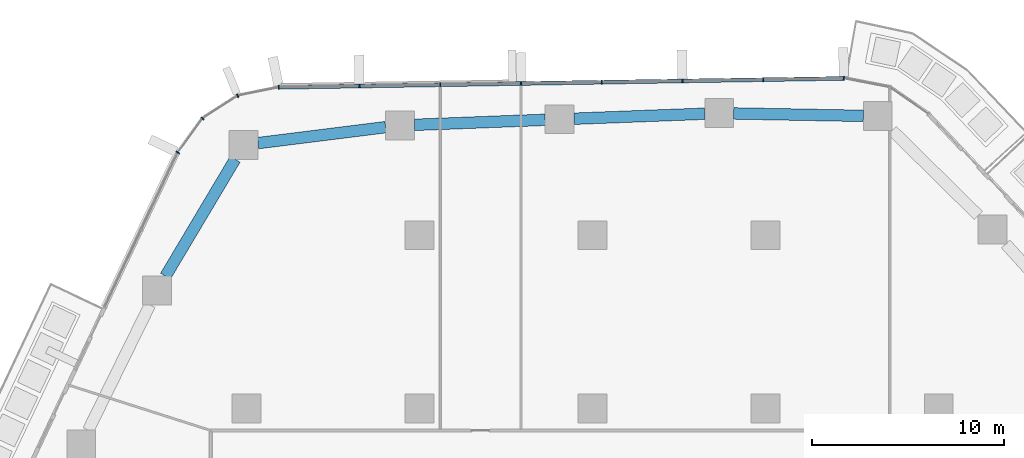
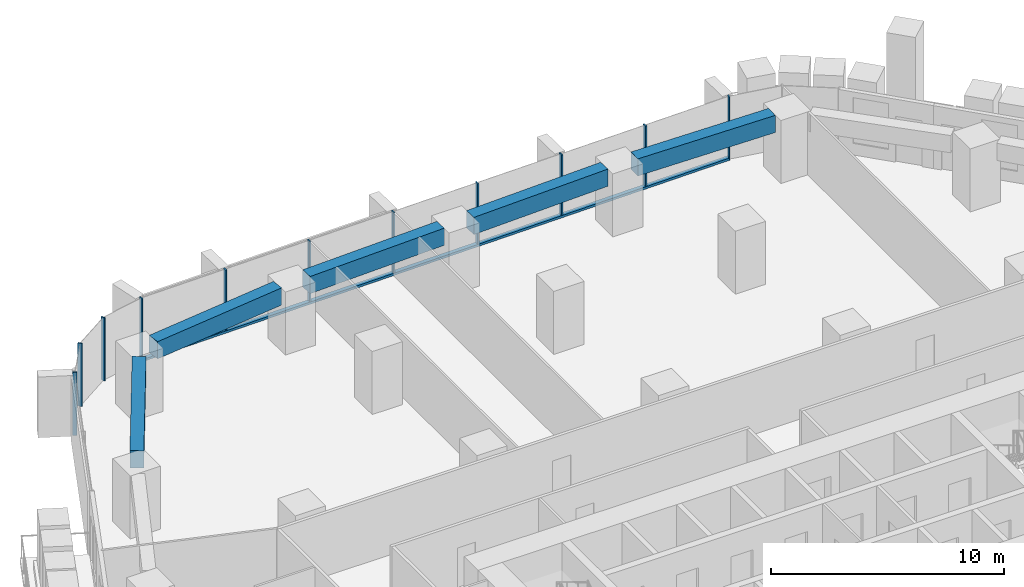
# One storey, part 9 of 25: 12 members, 5 beams, 3 elements without a shape of their own.
"""IFC4 building model written with IfcOpenShell, lengths in metres."""

from ifc_helpers import new_model, si_unit, direction, frame, origin, origin_2d, place, context, subcontext, project, spatial, rectangle, extrude, material, layer, layer_set, material_profile, profile_set, type_object, element, aggregate, save


model = new_model("IFC4")

# Units and contexts
model_context = context("Model", 3, precision=1e-05, world=origin(), true_north=direction((0.0, 1.0)))
body_context = subcontext(model_context, "Body", "Model", "MODEL_VIEW")
ifc_project = project(units=[si_unit("LENGTHUNIT", "METRE"), si_unit("AREAUNIT", "SQUARE_METRE"), si_unit("VOLUMEUNIT", "CUBIC_METRE"), si_unit("PLANEANGLEUNIT", "RADIAN"), si_unit("MASSUNIT", "GRAM", prefix="KILO")], contexts=[model_context])

# Site, building, storey
site_placement = place(None, origin())
site = spatial("IfcSite", under=ifc_project, at=site_placement, CompositionType="ELEMENT")
building_placement = place(site_placement, origin())
building = spatial("IfcBuilding", under=site, at=building_placement, Name="Dongbaek Canopy Tower", CompositionType="ELEMENT")
storey_placement = place(building_placement, frame((0.0, 0.0, 81.0)))
storey = spatial("IfcBuildingStorey", under=building, at=storey_placement, Name="L16", CompositionType="ELEMENT", Elevation=81.0)

# Curtain wall, member
ifc_material_1 = material(Name="Aluminium 6063-T6 pale anodised", Category="aluminium")
ifc_layer = layer(ifc_material_1, 0.199951171875)
ifc_layer_set = layer_set([ifc_layer], Name="CW-1 unitised tower curtain wall")
curtain_wall_type = type_object("IfcCurtainWallType", Name="CW-1 unitised tower curtain wall", PredefinedType="NOTDEFINED", material=ifc_layer_set)
curtain_wall_1_placement = place(storey_placement, origin())
curtain_wall_1 = element("IfcCurtainWall", 1, at=curtain_wall_1_placement, inside=storey, type_object=curtain_wall_type, Name="CW-1 curtain wall K1.1", PredefinedType="NOTDEFINED")
ifc_material_2 = material(Name="Aluminium 6063-T6 pale anodised", Category="aluminium")
ifc_material_profile_1 = material_profile(ifc_material_2, rectangle(XDim=0.199951171875, YDim=0.06005859375, at=origin_2d()), Name="CW-1 mullion 60 x 200")
ifc_profile_set_1 = profile_set([ifc_material_profile_1], Name="Aluminium 6063-T6 pale anodised")
member_type_1 = type_object("IfcMemberType", Name="CW-1 mullion 60 x 200", PredefinedType="MULLION", material=ifc_profile_set_1)
member_1_placement = place(storey_placement, frame((13.067138671875, 35.157470703125, 0.0), z_axis=(0.0, 0.0, 1.0), x_axis=(0.190359076609, 0.981714531803, 0.0)))
member_1 = element("IfcMember", 2, at=member_1_placement, type_object=member_type_1, Name="CW-1 mullion K1.1.3", PredefinedType="MULLION", context=body_context, shape_type="SweptSolid", body=[
    extrude(rectangle(XDim=0.199951171875, YDim=0.06005859375, at=origin_2d()), origin(), (0.0, 0.0, 1.0), 3.300048828125),
])
aggregate(curtain_wall_1, [member_1])

# Curtain wall, members
curtain_wall_2_placement = place(storey_placement, origin())
curtain_wall_2 = element("IfcCurtainWall", 3, at=curtain_wall_2_placement, inside=storey, type_object=curtain_wall_type, Name="CW-1 curtain wall F1.1", PredefinedType="NOTDEFINED")
member_2_placement = place(storey_placement, frame((8.878173828125, 35.091552734375, 0.1201171875), z_axis=(0.0, 0.0, 1.0), x_axis=(-0.015774398409, 0.999875576437, 0.0)))
member_2 = element("IfcMember", 4, at=member_2_placement, type_object=member_type_1, Name="CW-1 mullion F1.1.2", PredefinedType="MULLION", context=body_context, shape_type="SweptSolid", body=[
    extrude(rectangle(XDim=0.199951171875, YDim=0.06005859375, at=origin_2d()), origin(), (0.0, 0.0, 1.0), 3.179931640625),
])
member_3_placement = place(storey_placement, frame((4.6787109375, 35.025146484375, 0.1201171875), z_axis=(0.0, 0.0, 1.0), x_axis=(-0.015774398409, 0.999875576437, 0.0)))
member_3 = element("IfcMember", 5, at=member_3_placement, type_object=member_type_1, Name="CW-1 mullion F1.1.3", PredefinedType="MULLION", context=body_context, shape_type="SweptSolid", body=[
    extrude(rectangle(XDim=0.199951171875, YDim=0.06005859375, at=origin_2d()), origin(), (0.0, 0.0, 1.0), 3.179931640625),
])
member_4_placement = place(storey_placement, frame((0.4794921875, 34.958984375, 0.1201171875), z_axis=(0.0, 0.0, 1.0), x_axis=(-0.015774398409, 0.999875576437, 0.0)))
member_4 = element("IfcMember", 6, at=member_4_placement, type_object=member_type_1, Name="CW-1 mullion F1.1.4", PredefinedType="MULLION", context=body_context, shape_type="SweptSolid", body=[
    extrude(rectangle(XDim=0.199951171875, YDim=0.06005859375, at=origin_2d()), origin(), (0.0, 0.0, 1.0), 3.179931640625),
])
member_5_placement = place(storey_placement, frame((-3.719970703125, 34.892822265625, 0.1201171875), z_axis=(0.0, 0.0, 1.0), x_axis=(-0.015774398409, 0.999875576437, 0.0)))
member_5 = element("IfcMember", 7, at=member_5_placement, type_object=member_type_1, Name="CW-1 mullion F1.1.5", PredefinedType="MULLION", context=body_context, shape_type="SweptSolid", body=[
    extrude(rectangle(XDim=0.199951171875, YDim=0.06005859375, at=origin_2d()), origin(), (0.0, 0.0, 1.0), 3.179931640625),
])
member_6_placement = place(storey_placement, frame((-7.919189453125, 34.826416015625, 0.1201171875), z_axis=(0.0, 0.0, 1.0), x_axis=(-0.015774398409, 0.999875576437, 0.0)))
member_6 = element("IfcMember", 8, at=member_6_placement, type_object=member_type_1, Name="CW-1 mullion F1.1.6", PredefinedType="MULLION", context=body_context, shape_type="SweptSolid", body=[
    extrude(rectangle(XDim=0.199951171875, YDim=0.06005859375, at=origin_2d()), origin(), (0.0, 0.0, 1.0), 3.179931640625),
])
member_7_placement = place(storey_placement, frame((-12.11865234375, 34.76025390625, 0.1201171875), z_axis=(0.0, 0.0, 1.0), x_axis=(-0.015774398409, 0.999875576437, 0.0)))
member_7 = element("IfcMember", 9, at=member_7_placement, type_object=member_type_1, Name="CW-1 mullion F1.1.7", PredefinedType="MULLION", context=body_context, shape_type="SweptSolid", body=[
    extrude(rectangle(XDim=0.199951171875, YDim=0.06005859375, at=origin_2d()), origin(), (0.0, 0.0, 1.0), 3.179931640625),
])
member_8_placement = place(storey_placement, frame((-16.30859375, 34.694091796875, 0.1201171875), z_axis=(0.0, 0.0, 1.0), x_axis=(-0.015774398409, 0.999875576437, 0.0)))
member_8 = element("IfcMember", 10, at=member_8_placement, type_object=member_type_1, Name="CW-1 mullion F1.1.8", PredefinedType="MULLION", context=body_context, shape_type="SweptSolid", body=[
    extrude(rectangle(XDim=0.199951171875, YDim=0.06005859375, at=origin_2d()), origin(), (0.0, 0.0, 1.0), 3.179931640625),
])

curtain_wall_3_placement = place(storey_placement, origin())
curtain_wall_3 = element("IfcCurtainWall", 11, at=curtain_wall_3_placement, inside=storey, type_object=curtain_wall_type, Name="CW-1 curtain wall K2.1", PredefinedType="NOTDEFINED")
member_9_placement = place(storey_placement, frame((-18.450927734375, 34.2568359375, 0.0), z_axis=(0.0, 0.0, 1.0), x_axis=(-0.377411903427, 0.926045493025, 0.0)))
member_9 = element("IfcMember", 12, at=member_9_placement, type_object=member_type_1, Name="CW-1 mullion K2.1.2", PredefinedType="MULLION", context=body_context, shape_type="SweptSolid", body=[
    extrude(rectangle(XDim=0.199951171875, YDim=0.06005859375, at=origin_2d()), origin(), (0.0, 0.0, 1.0), 3.300048828125),
])
member_10_placement = place(storey_placement, frame((-20.28076171875, 33.0771484375, 0.0), z_axis=(0.0, 0.0, 1.0), x_axis=(-0.687633616308, 0.726057855631, 0.0)))
member_10 = element("IfcMember", 13, at=member_10_placement, type_object=member_type_1, Name="CW-1 mullion K2.1.3", PredefinedType="MULLION", context=body_context, shape_type="SweptSolid", body=[
    extrude(rectangle(XDim=0.199951171875, YDim=0.06005859375, at=origin_2d()), origin(), (0.0, 0.0, 1.0), 3.300048828125),
])
member_11_placement = place(storey_placement, frame((-21.5634765625, 31.306640625, 0.0), z_axis=(0.0, 0.0, 1.0), x_axis=(-0.809815290558, 0.586684919849, 0.0)))
member_11 = element("IfcMember", 14, at=member_11_placement, type_object=member_type_1, Name="CW-1 mullion K2.1.4", PredefinedType="MULLION", context=body_context, shape_type="SweptSolid", body=[
    extrude(rectangle(XDim=0.199951171875, YDim=0.06005859375, at=origin_2d()), origin(), (0.0, 0.0, 1.0), 3.300048828125),
])
aggregate(curtain_wall_3, [member_9, member_10, member_11])

# Member
ifc_material_3 = material(Name="Aluminium 6063-T6 pale anodised", Category="aluminium")
ifc_material_profile_2 = material_profile(ifc_material_3, rectangle(XDim=0.199951171875, YDim=0.1201171875, at=origin_2d()), Name="CW-1 transom 120 x 200")
ifc_profile_set_2 = profile_set([ifc_material_profile_2], Name="Aluminium 6063-T6 pale anodised")
member_type_2 = type_object("IfcMemberType", Name="CW-1 transom 120 x 200", PredefinedType="USERDEFINED", material=ifc_profile_set_2)
member_12_placement = place(storey_placement, frame((13.067138671875, 35.157470703125, 0.06005859375), z_axis=(-0.999875610398, -0.01577224561, 0.0), x_axis=(0.01577224561, -0.999875610398, 0.0)))
member_12 = element("IfcMember", 15, at=member_12_placement, type_object=member_type_2, Name="CW-1 transom F1.1.1", ObjectType="TRANSOM", PredefinedType="USERDEFINED", context=body_context, shape_type="SweptSolid", body=[
    extrude(rectangle(XDim=0.199951171875, YDim=0.1201171875, at=origin_2d()), origin(), (0.0, 0.0, 1.0), 29.37939453125),
])

aggregate(curtain_wall_2, [member_2, member_3, member_4, member_5, member_6, member_7, member_8, member_12])

# Beams
ifc_material_4 = material(Name="Concrete C80", Category="concrete")
ifc_material_profile_3 = material_profile(ifc_material_4, rectangle(XDim=0.60009765625, YDim=0.89990234375, at=origin_2d()), Name="RC EDGE BEAM 600x900 C80")
ifc_profile_set_3 = profile_set([ifc_material_profile_3], Name="Concrete C80")
beam_type = type_object("IfcBeamType", Name="RC EDGE BEAM 600x900 C80", PredefinedType="BEAM", material=ifc_profile_set_3)
beam_1_placement = place(storey_placement, frame((-22.201416015625, 24.875, 2.85009765625), z_axis=(0.511536684445, 0.859261438951, 0.0), x_axis=(-0.859261438951, 0.511536684445, 0.0)))
element("IfcBeam", 16, at=beam_1_placement, inside=storey, type_object=beam_type, Name="EDGEBEAM:L16:12", PredefinedType="BEAM", context=body_context, shape_type="SweptSolid", body=[
    extrude(rectangle(XDim=0.60009765625, YDim=0.89990234375, at=origin_2d()), origin(), (0.0, 0.0, 1.0), 7.06884765625),
])
beam_2_placement = place(storey_placement, frame((-17.388916015625, 31.79248046875, 2.85009765625), z_axis=(0.992300337098, 0.123854919137, 0.0), x_axis=(-0.123854919137, 0.992300337098, 0.0)))
element("IfcBeam", 17, at=beam_2_placement, inside=storey, type_object=beam_type, Name="EDGEBEAM:L16:13", PredefinedType="BEAM", context=body_context, shape_type="SweptSolid", body=[
    extrude(rectangle(XDim=0.60009765625, YDim=0.89990234375, at=origin_2d()), origin(), (0.0, 0.0, 1.0), 6.684326171875),
])
beam_3_placement = place(storey_placement, frame((-9.256103515625, 32.74267578125, 2.85009765625), z_axis=(0.999265250645, 0.038326999019, 0.0), x_axis=(-0.038326999019, 0.999265250645, 0.0)))
element("IfcBeam", 18, at=beam_3_placement, inside=storey, type_object=beam_type, Name="EDGEBEAM:L16:14", PredefinedType="BEAM", context=body_context, shape_type="SweptSolid", body=[
    extrude(rectangle(XDim=0.60009765625, YDim=0.89990234375, at=origin_2d()), origin(), (0.0, 0.0, 1.0), 6.802978515625),
])
beam_4_placement = place(storey_placement, frame((-0.9580078125, 33.060791015625, 2.85009765625), z_axis=(0.99927189778, 0.038153300073, 0.0), x_axis=(-0.038153300073, 0.99927189778, 0.0)))
element("IfcBeam", 19, at=beam_4_placement, inside=storey, type_object=beam_type, Name="EDGEBEAM:L16:15", PredefinedType="BEAM", context=body_context, shape_type="SweptSolid", body=[
    extrude(rectangle(XDim=0.60009765625, YDim=0.89990234375, at=origin_2d()), origin(), (0.0, 0.0, 1.0), 6.802001953125),
])
beam_5_placement = place(storey_placement, frame((7.339111328125, 33.3349609375, 2.85009765625), z_axis=(0.999822704828, -0.018829734762, 0.0), x_axis=(0.018829734762, 0.999822704828, 0.0)))
element("IfcBeam", 20, at=beam_5_placement, inside=storey, type_object=beam_type, Name="EDGEBEAM:L16:16", PredefinedType="BEAM", context=body_context, shape_type="SweptSolid", body=[
    extrude(rectangle(XDim=0.60009765625, YDim=0.89990234375, at=origin_2d()), origin(), (0.0, 0.0, 1.0), 6.7421875),
])

save(model, "model.ifc")
